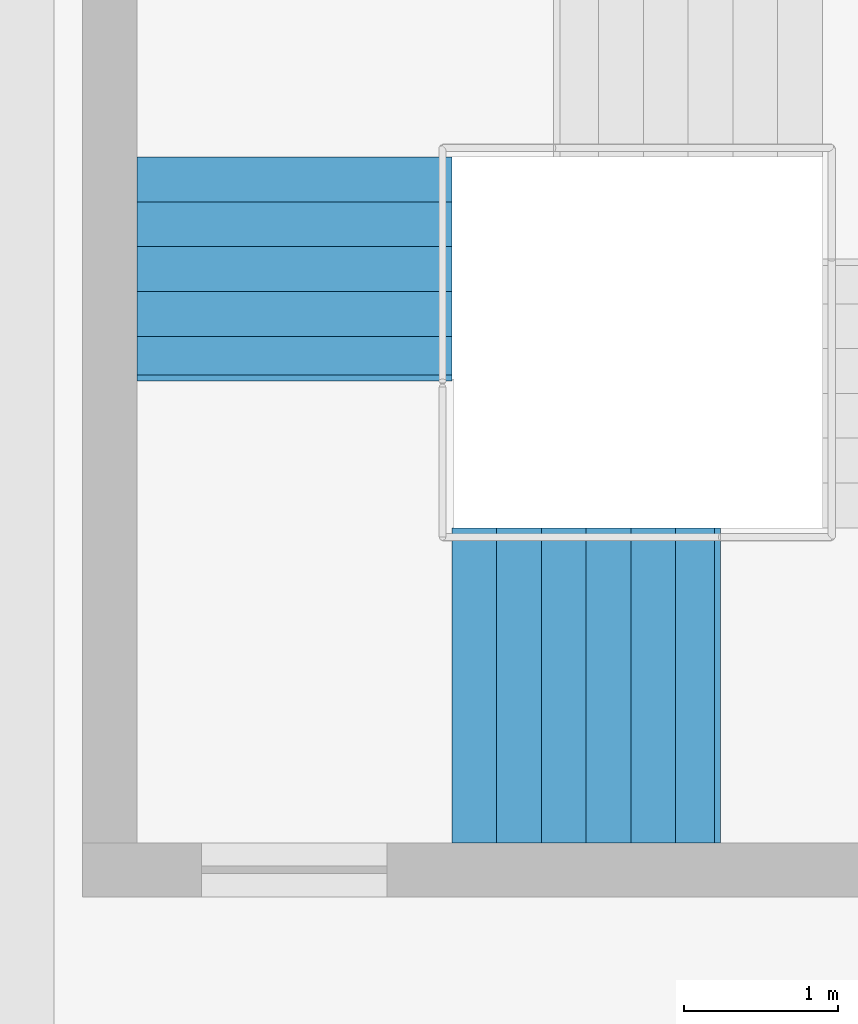
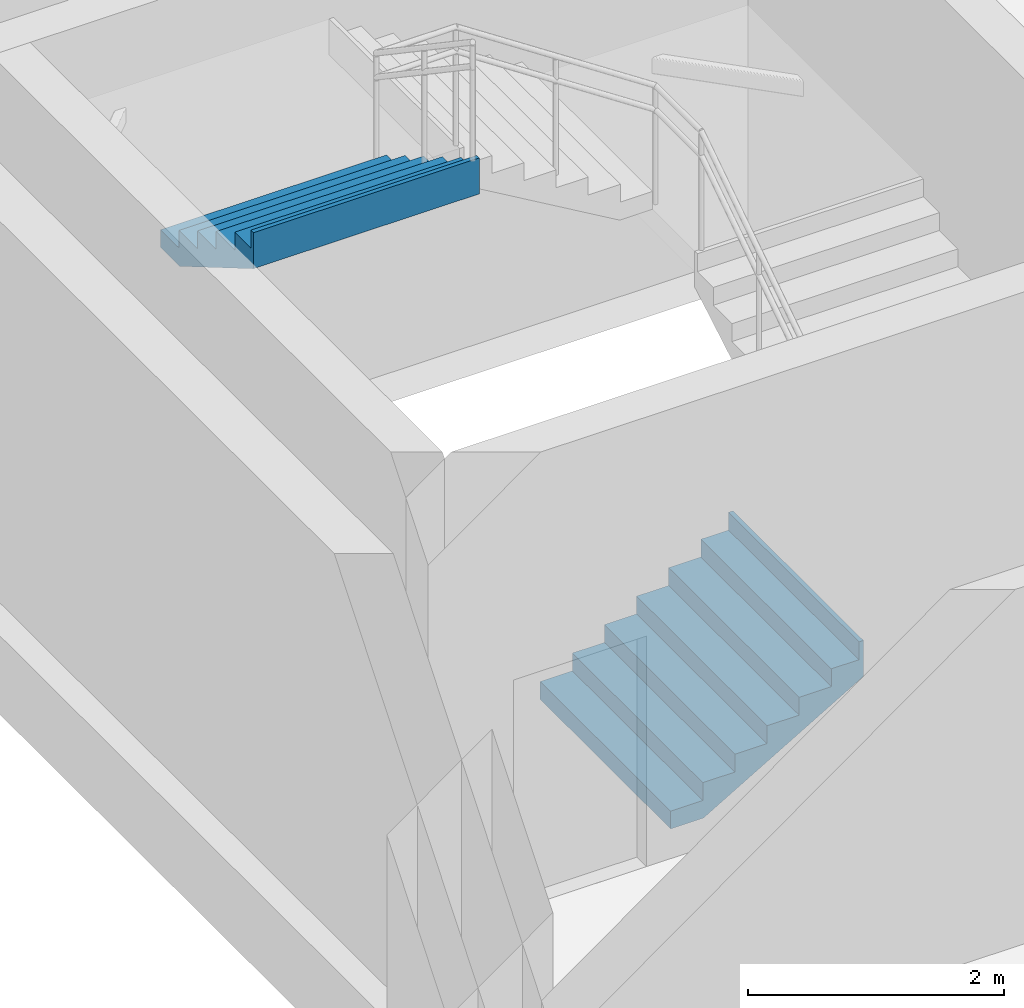
# One storey, part 16 of 32: 2 stair flights, 1 element without a shape of its own.
"""IFC4 building model written with IfcOpenShell, lengths in metres."""

from ifc_helpers import new_model, si_unit, direction, frame, origin, place, context, subcontext, project, spatial, triangles, material, type_object, element, aggregate, save


model = new_model("IFC4")

# Units and contexts
model_context = context("Model", 3, precision=1e-05, world=origin(), true_north=direction((0.0, 1.0)))
body_context = subcontext(model_context, "Body", "Model", "MODEL_VIEW")
ifc_project = project(units=[si_unit("LENGTHUNIT", "METRE"), si_unit("AREAUNIT", "SQUARE_METRE"), si_unit("VOLUMEUNIT", "CUBIC_METRE"), si_unit("PLANEANGLEUNIT", "RADIAN"), si_unit("MASSUNIT", "GRAM", prefix="KILO")], contexts=[model_context])

# Site, building, storey
site_placement = place(None, origin())
site = spatial("IfcSite", under=ifc_project, at=site_placement, CompositionType="ELEMENT")
building_placement = place(site_placement, origin())
building = spatial("IfcBuilding", under=site, at=building_placement, Name="Sillaruma Civic Art Gallery", CompositionType="ELEMENT")
storey_placement = place(building_placement, frame((0.0, 0.0, -4.590087890625)))
storey = spatial("IfcBuildingStorey", under=building, at=storey_placement, Name="B01", CompositionType="ELEMENT", Elevation=-4.590087890625)

# Stair, stair flights
ifc_material = material(Name="Concrete H35 (35 MPa)", Category="concrete")
stair_type = type_object("IfcStairType", Name="STR-4F-27", PredefinedType="USERDEFINED", material=ifc_material)
stair_placement = place(storey_placement, origin())
stair = element("IfcStair", 1, at=stair_placement, inside=storey, type_object=stair_type, Name="Protected Exit Stair ST-03 (West Bar South) (B01)", ObjectType="THREE_RETURN_STAIR", PredefinedType="USERDEFINED")
stair_flight_type_1 = type_object("IfcStairFlightType", Name="SFL-STR-6", PredefinedType="STRAIGHT", material=ifc_material)
stair_flight_1_placement = place(storey_placement, frame((63.780029296875, 35.85009765625, 3.570068359375), z_axis=(0.0, 0.0, 1.0), x_axis=(0.0, -1.0, 0.0)))
stair_flight_1 = element("IfcStairFlight", 2, at=stair_flight_1_placement, type_object=stair_flight_type_1, Name="ST-03 flight 4", NumberOfRisers=6, NumberOfTreads=5, PredefinedType="STRAIGHT", RiserHeight=0.17, TreadLength=0.29, context=body_context, shape_type="Tessellation", body=[
    triangles([(0.0, -1.02001953125, 0.0), (0.29, -1.02001953125, 0.0), (0.296365, -1.02001953125, 0.0), (0.58, -1.02001953125, 0.166269), (0.87, -1.02001953125, 0.336269), (1.16, -1.02001953125, 0.506269), (1.409951, -1.02001953125, 0.652792), (1.449951, -1.02001953125, 0.67624), (1.449951, -1.02001953125, 1.02), (1.409951, -1.02001953125, 1.02), (1.409951, -1.02001953125, 0.85), (1.16, -1.02001953125, 0.85), (1.16, -1.02001953125, 0.68), (0.87, -1.02001953125, 0.68), (0.87, -1.02001953125, 0.51), (0.58, -1.02001953125, 0.51), (0.58, -1.02001953125, 0.34), (0.296365, -1.02001953125, 0.34), (0.29, -1.02001953125, 0.34), (0.29, -1.02001953125, 0.17), (0.0, -1.02001953125, 0.17), (0.0, -0.05, 0.0), (0.29, -0.05, 0.0), (0.296365, -0.05, 0.0), (0.58, -0.05, 0.166269), (0.87, -0.05, 0.336269), (1.16, -0.05, 0.506269), (1.409951, -0.05, 0.652792), (1.449951, -0.05, 0.67624), (1.449951, -0.05, 1.02), (1.409951, -0.05, 1.02), (1.409951, -0.05, 0.85), (1.16, -0.05, 0.85), (1.16, -0.05, 0.68), (0.87, -0.05, 0.68), (0.87, -0.05, 0.51), (0.58, -0.05, 0.51), (0.58, -0.05, 0.34), (0.296365, -0.05, 0.34), (0.29, -0.05, 0.34), (0.29, -0.05, 0.17), (0.0, -0.05, 0.17), (0.0, -0.0375, 0.0), (0.29, -0.0375, 0.0), (0.296365, -0.0375, 0.0), (0.58, -0.0375, 0.166269), (0.87, -0.0375, 0.336269), (1.16, -0.0375, 0.506269), (1.409951, -0.0375, 0.652792), (1.449951, -0.0375, 0.67624), (1.449951, -0.0375, 1.02), (1.409951, -0.0375, 1.02), (1.409951, -0.0375, 0.85), (1.16, -0.0375, 0.85), (1.16, -0.0375, 0.68), (0.87, -0.0375, 0.68), (0.87, -0.0375, 0.51), (0.58, -0.0375, 0.51), (0.58, -0.0375, 0.34), (0.296365, -0.0375, 0.34), (0.29, -0.0375, 0.34), (0.29, -0.0375, 0.17), (0.0, -0.0375, 0.17), (0.0, -0.025, 0.0), (0.29, -0.025, 0.0), (0.296365, -0.025, 0.0), (0.58, -0.025, 0.166269), (0.87, -0.025, 0.336269), (1.16, -0.025, 0.506269), (1.409951, -0.025, 0.652792), (1.449951, -0.025, 0.67624), (1.449951, -0.025, 1.02), (1.409951, -0.025, 1.02), (1.409951, -0.025, 0.85), (1.16, -0.025, 0.85), (1.16, -0.025, 0.68), (0.87, -0.025, 0.68), (0.87, -0.025, 0.51), (0.58, -0.025, 0.51), (0.58, -0.025, 0.34), (0.296365, -0.025, 0.34), (0.29, -0.025, 0.34), (0.29, -0.025, 0.17), (0.0, -0.025, 0.17), (0.0, -0.0125, 0.0), (0.29, -0.0125, 0.0), (0.296365, -0.0125, 0.0), (0.58, -0.0125, 0.166269), (0.87, -0.0125, 0.336269), (1.16, -0.0125, 0.506269), (1.409951, -0.0125, 0.652792), (1.449951, -0.0125, 0.67624), (1.449951, -0.0125, 1.02), (1.409951, -0.0125, 1.02), (1.409951, -0.0125, 0.85), (1.16, -0.0125, 0.85), (1.16, -0.0125, 0.68), (0.87, -0.0125, 0.68), (0.87, -0.0125, 0.51), (0.58, -0.0125, 0.51), (0.58, -0.0125, 0.34), (0.296365, -0.0125, 0.34), (0.29, -0.0125, 0.34), (0.29, -0.0125, 0.17), (0.0, -0.0125, 0.17), (0.0, 0.0, 0.0), (0.29, 0.0, 0.0), (0.296365, 0.0, 0.0), (0.58, 0.0, 0.166269), (0.87, 0.0, 0.336269), (1.16, 0.0, 0.506269), (1.409951, 0.0, 0.652792), (1.449951, 0.0, 0.67624), (1.449951, 0.0, 1.02), (1.409951, 0.0, 1.02), (1.409951, 0.0, 0.85), (1.16, 0.0, 0.85), (1.16, 0.0, 0.68), (0.87, 0.0, 0.68), (0.87, 0.0, 0.51), (0.58, 0.0, 0.51), (0.58, 0.0, 0.34), (0.296365, 0.0, 0.34), (0.29, 0.0, 0.34), (0.29, 0.0, 0.17), (0.0, 0.0, 0.17), (0.0, 0.0125, 0.0), (0.29, 0.0125, 0.0), (0.296365, 0.0125, 0.0), (0.58, 0.0125, 0.166269), (0.87, 0.0125, 0.336269), (1.16, 0.0125, 0.506269), (1.409951, 0.0125, 0.652792), (1.449951, 0.0125, 0.67624), (1.449951, 0.0125, 1.02), (1.409951, 0.0125, 1.02), (1.409951, 0.0125, 0.85), (1.16, 0.0125, 0.85), (1.16, 0.0125, 0.68), (0.87, 0.0125, 0.68), (0.87, 0.0125, 0.51), (0.58, 0.0125, 0.51), (0.58, 0.0125, 0.34), (0.296365, 0.0125, 0.34), (0.29, 0.0125, 0.34), (0.29, 0.0125, 0.17), (0.0, 0.0125, 0.17), (0.0, 0.025, 0.0), (0.29, 0.025, 0.0), (0.296365, 0.025, 0.0), (0.58, 0.025, 0.166269), (0.87, 0.025, 0.336269), (1.16, 0.025, 0.506269), (1.409951, 0.025, 0.652792), (1.449951, 0.025, 0.67624), (1.449951, 0.025, 1.02), (1.409951, 0.025, 1.02), (1.409951, 0.025, 0.85), (1.16, 0.025, 0.85), (1.16, 0.025, 0.68), (0.87, 0.025, 0.68), (0.87, 0.025, 0.51), (0.58, 0.025, 0.51), (0.58, 0.025, 0.34), (0.296365, 0.025, 0.34), (0.29, 0.025, 0.34), (0.29, 0.025, 0.17), (0.0, 0.025, 0.17), (0.0, 0.0375, 0.0), (0.29, 0.0375, 0.0), (0.296365, 0.0375, 0.0), (0.58, 0.0375, 0.166269), (0.87, 0.0375, 0.336269), (1.16, 0.0375, 0.506269), (1.409951, 0.0375, 0.652792), (1.449951, 0.0375, 0.67624), (1.449951, 0.0375, 1.02), (1.409951, 0.0375, 1.02), (1.409951, 0.0375, 0.85), (1.16, 0.0375, 0.85), (1.16, 0.0375, 0.68), (0.87, 0.0375, 0.68), (0.87, 0.0375, 0.51), (0.58, 0.0375, 0.51), (0.58, 0.0375, 0.34), (0.296365, 0.0375, 0.34), (0.29, 0.0375, 0.34), (0.29, 0.0375, 0.17), (0.0, 0.0375, 0.17), (0.0, 0.05, 0.0), (0.29, 0.05, 0.0), (0.296365, 0.05, 0.0), (0.58, 0.05, 0.166269), (0.87, 0.05, 0.336269), (1.16, 0.05, 0.506269), (1.409951, 0.05, 0.652792), (1.449951, 0.05, 0.67624), (1.449951, 0.05, 1.02), (1.409951, 0.05, 1.02), (1.409951, 0.05, 0.85), (1.16, 0.05, 0.85), (1.16, 0.05, 0.68), (0.87, 0.05, 0.68), (0.87, 0.05, 0.51), (0.58, 0.05, 0.51), (0.58, 0.05, 0.34), (0.296365, 0.05, 0.34), (0.29, 0.05, 0.34), (0.29, 0.05, 0.17), (0.0, 0.05, 0.17), (0.0, 1.02001953125, 0.0), (0.29, 1.02001953125, 0.0), (0.296365, 1.02001953125, 0.0), (0.58, 1.02001953125, 0.166269), (0.87, 1.02001953125, 0.336269), (1.16, 1.02001953125, 0.506269), (1.409951, 1.02001953125, 0.652792), (1.449951, 1.02001953125, 0.67624), (1.449951, 1.02001953125, 1.02), (1.409951, 1.02001953125, 1.02), (1.409951, 1.02001953125, 0.85), (1.16, 1.02001953125, 0.85), (1.16, 1.02001953125, 0.68), (0.87, 1.02001953125, 0.68), (0.87, 1.02001953125, 0.51), (0.58, 1.02001953125, 0.51), (0.58, 1.02001953125, 0.34), (0.296365, 1.02001953125, 0.34), (0.29, 1.02001953125, 0.34), (0.29, 1.02001953125, 0.17), (0.0, 1.02001953125, 0.17)], [[1, 2, 20], [1, 20, 21], [2, 3, 18], [2, 18, 20], [20, 18, 19], [3, 4, 17], [3, 17, 18], [4, 5, 15], [4, 15, 17], [17, 15, 16], [5, 6, 13], [5, 13, 15], [15, 13, 14], [6, 7, 11], [6, 11, 13], [13, 11, 12], [7, 8, 9], [7, 9, 11], [11, 9, 10], [230, 212, 211], [231, 230, 211], [228, 213, 212], [230, 228, 212], [229, 228, 230], [227, 214, 213], [228, 227, 213], [225, 215, 214], [227, 225, 214], [226, 225, 227], [223, 216, 215], [225, 223, 215], [224, 223, 225], [221, 217, 216], [223, 221, 216], [222, 221, 223], [219, 218, 217], [221, 219, 217], [220, 219, 221], [2, 1, 22], [2, 22, 23], [3, 2, 23], [3, 23, 24], [4, 3, 24], [4, 24, 25], [5, 4, 25], [5, 25, 26], [6, 5, 26], [6, 26, 27], [7, 6, 27], [7, 27, 28], [8, 7, 28], [8, 28, 29], [9, 8, 29], [9, 29, 30], [10, 9, 30], [10, 30, 31], [11, 10, 31], [11, 31, 32], [12, 11, 32], [12, 32, 33], [13, 12, 33], [13, 33, 34], [14, 13, 34], [14, 34, 35], [15, 14, 35], [15, 35, 36], [16, 15, 36], [16, 36, 37], [17, 16, 37], [17, 37, 38], [18, 17, 38], [18, 38, 39], [19, 18, 39], [19, 39, 40], [20, 19, 40], [20, 40, 41], [21, 20, 41], [21, 41, 42], [1, 21, 42], [1, 42, 22], [23, 22, 43], [23, 43, 44], [24, 23, 44], [24, 44, 45], [25, 24, 45], [25, 45, 46], [26, 25, 46], [26, 46, 47], [27, 26, 47], [27, 47, 48], [28, 27, 48], [28, 48, 49], [29, 28, 49], [29, 49, 50], [30, 29, 50], [30, 50, 51], [31, 30, 51], [31, 51, 52], [32, 31, 52], [32, 52, 53], [33, 32, 53], [33, 53, 54], [34, 33, 54], [34, 54, 55], [35, 34, 55], [35, 55, 56], [36, 35, 56], [36, 56, 57], [37, 36, 57], [37, 57, 58], [38, 37, 58], [38, 58, 59], [39, 38, 59], [39, 59, 60], [40, 39, 60], [40, 60, 61], [41, 40, 61], [41, 61, 62], [42, 41, 62], [42, 62, 63], [22, 42, 63], [22, 63, 43], [44, 43, 64], [44, 64, 65], [45, 44, 65], [45, 65, 66], [46, 45, 66], [46, 66, 67], [47, 46, 67], [47, 67, 68], [48, 47, 68], [48, 68, 69], [49, 48, 69], [49, 69, 70], [50, 49, 70], [50, 70, 71], [51, 50, 71], [51, 71, 72], [52, 51, 72], [52, 72, 73], [53, 52, 73], [53, 73, 74], [54, 53, 74], [54, 74, 75], [55, 54, 75], [55, 75, 76], [56, 55, 76], [56, 76, 77], [57, 56, 77], [57, 77, 78], [58, 57, 78], [58, 78, 79], [59, 58, 79], [59, 79, 80], [60, 59, 80], [60, 80, 81], [61, 60, 81], [61, 81, 82], [62, 61, 82], [62, 82, 83], [63, 62, 83], [63, 83, 84], [43, 63, 84], [43, 84, 64], [65, 64, 85], [65, 85, 86], [66, 65, 86], [66, 86, 87], [67, 66, 87], [67, 87, 88], [68, 67, 88], [68, 88, 89], [69, 68, 89], [69, 89, 90], [70, 69, 90], [70, 90, 91], [71, 70, 91], [71, 91, 92], [72, 71, 92], [72, 92, 93], [73, 72, 93], [73, 93, 94], [74, 73, 94], [74, 94, 95], [75, 74, 95], [75, 95, 96], [76, 75, 96], [76, 96, 97], [77, 76, 97], [77, 97, 98], [78, 77, 98], [78, 98, 99], [79, 78, 99], [79, 99, 100], [80, 79, 100], [80, 100, 101], [81, 80, 101], [81, 101, 102], [82, 81, 102], [82, 102, 103], [83, 82, 103], [83, 103, 104], [84, 83, 104], [84, 104, 105], [64, 84, 105], [64, 105, 85], [86, 85, 106], [86, 106, 107], [87, 86, 107], [87, 107, 108], [88, 87, 108], [88, 108, 109], [89, 88, 109], [89, 109, 110], [90, 89, 110], [90, 110, 111], [91, 90, 111], [91, 111, 112], [92, 91, 112], [92, 112, 113], [93, 92, 113], [93, 113, 114], [94, 93, 114], [94, 114, 115], [95, 94, 115], [95, 115, 116], [96, 95, 116], [96, 116, 117], [97, 96, 117], [97, 117, 118], [98, 97, 118], [98, 118, 119], [99, 98, 119], [99, 119, 120], [100, 99, 120], [100, 120, 121], [101, 100, 121], [101, 121, 122], [102, 101, 122], [102, 122, 123], [103, 102, 123], [103, 123, 124], [104, 103, 124], [104, 124, 125], [105, 104, 125], [105, 125, 126], [85, 105, 126], [85, 126, 106], [107, 106, 127], [107, 127, 128], [108, 107, 128], [108, 128, 129], [109, 108, 129], [109, 129, 130], [110, 109, 130], [110, 130, 131], [111, 110, 131], [111, 131, 132], [112, 111, 132], [112, 132, 133], [113, 112, 133], [113, 133, 134], [114, 113, 134], [114, 134, 135], [115, 114, 135], [115, 135, 136], [116, 115, 136], [116, 136, 137], [117, 116, 137], [117, 137, 138], [118, 117, 138], [118, 138, 139], [119, 118, 139], [119, 139, 140], [120, 119, 140], [120, 140, 141], [121, 120, 141], [121, 141, 142], [122, 121, 142], [122, 142, 143], [123, 122, 143], [123, 143, 144], [124, 123, 144], [124, 144, 145], [125, 124, 145], [125, 145, 146], [126, 125, 146], [126, 146, 147], [106, 126, 147], [106, 147, 127], [128, 127, 148], [128, 148, 149], [129, 128, 149], [129, 149, 150], [130, 129, 150], [130, 150, 151], [131, 130, 151], [131, 151, 152], [132, 131, 152], [132, 152, 153], [133, 132, 153], [133, 153, 154], [134, 133, 154], [134, 154, 155], [135, 134, 155], [135, 155, 156], [136, 135, 156], [136, 156, 157], [137, 136, 157], [137, 157, 158], [138, 137, 158], [138, 158, 159], [139, 138, 159], [139, 159, 160], [140, 139, 160], [140, 160, 161], [141, 140, 161], [141, 161, 162], [142, 141, 162], [142, 162, 163], [143, 142, 163], [143, 163, 164], [144, 143, 164], [144, 164, 165], [145, 144, 165], [145, 165, 166], [146, 145, 166], [146, 166, 167], [147, 146, 167], [147, 167, 168], [127, 147, 168], [127, 168, 148], [149, 148, 169], [149, 169, 170], [150, 149, 170], [150, 170, 171], [151, 150, 171], [151, 171, 172], [152, 151, 172], [152, 172, 173], [153, 152, 173], [153, 173, 174], [154, 153, 174], [154, 174, 175], [155, 154, 175], [155, 175, 176], [156, 155, 176], [156, 176, 177], [157, 156, 177], [157, 177, 178], [158, 157, 178], [158, 178, 179], [159, 158, 179], [159, 179, 180], [160, 159, 180], [160, 180, 181], [161, 160, 181], [161, 181, 182], [162, 161, 182], [162, 182, 183], [163, 162, 183], [163, 183, 184], [164, 163, 184], [164, 184, 185], [165, 164, 185], [165, 185, 186], [166, 165, 186], [166, 186, 187], [167, 166, 187], [167, 187, 188], [168, 167, 188], [168, 188, 189], [148, 168, 189], [148, 189, 169], [170, 169, 190], [170, 190, 191], [171, 170, 191], [171, 191, 192], [172, 171, 192], [172, 192, 193], [173, 172, 193], [173, 193, 194], [174, 173, 194], [174, 194, 195], [175, 174, 195], [175, 195, 196], [176, 175, 196], [176, 196, 197], [177, 176, 197], [177, 197, 198], [178, 177, 198], [178, 198, 199], [179, 178, 199], [179, 199, 200], [180, 179, 200], [180, 200, 201], [181, 180, 201], [181, 201, 202], [182, 181, 202], [182, 202, 203], [183, 182, 203], [183, 203, 204], [184, 183, 204], [184, 204, 205], [185, 184, 205], [185, 205, 206], [186, 185, 206], [186, 206, 207], [187, 186, 207], [187, 207, 208], [188, 187, 208], [188, 208, 209], [189, 188, 209], [189, 209, 210], [169, 189, 210], [169, 210, 190], [191, 190, 211], [191, 211, 212], [192, 191, 212], [192, 212, 213], [193, 192, 213], [193, 213, 214], [194, 193, 214], [194, 214, 215], [195, 194, 215], [195, 215, 216], [196, 195, 216], [196, 216, 217], [197, 196, 217], [197, 217, 218], [198, 197, 218], [198, 218, 219], [199, 198, 219], [199, 219, 220], [200, 199, 220], [200, 220, 221], [201, 200, 221], [201, 221, 222], [202, 201, 222], [202, 222, 223], [203, 202, 223], [203, 223, 224], [204, 203, 224], [204, 224, 225], [205, 204, 225], [205, 225, 226], [206, 205, 226], [206, 226, 227], [207, 206, 227], [207, 227, 228], [208, 207, 228], [208, 228, 229], [209, 208, 229], [209, 229, 230], [210, 209, 230], [210, 230, 231], [190, 210, 231], [190, 231, 211]], closed=True),
])
stair_flight_type_2 = type_object("IfcStairFlightType", Name="SFL-STR-7", PredefinedType="STRAIGHT", material=ifc_material)
stair_flight_2_placement = place(storey_placement, frame((64.800048828125, 32.429931640625, 0.0), z_axis=(0.0, 0.0, 1.0), x_axis=(1.0, 0.0, 0.0)))
stair_flight_2 = element("IfcStairFlight", 3, at=stair_flight_2_placement, type_object=stair_flight_type_2, Name="ST-03 flight 1", NumberOfRisers=7, NumberOfTreads=6, PredefinedType="STRAIGHT", RiserHeight=0.17, TreadLength=0.29, context=body_context, shape_type="Tessellation", body=[
    triangles([(0.0, -1.02001953125, 0.0), (0.29, -1.02001953125, 0.0), (0.296404, -1.02001953125, 0.0), (0.58, -1.02001953125, 0.166246), (0.87, -1.02001953125, 0.336246), (1.16, -1.02001953125, 0.506246), (1.45, -1.02001953125, 0.676246), (1.69999, -1.02001953125, 0.822792), (1.73999, -1.02001953125, 0.84624), (1.73999, -1.02001953125, 1.19), (1.69999, -1.02001953125, 1.19), (1.69999, -1.02001953125, 1.02), (1.45, -1.02001953125, 1.02), (1.45, -1.02001953125, 0.85), (1.16, -1.02001953125, 0.85), (1.16, -1.02001953125, 0.68), (0.87, -1.02001953125, 0.68), (0.87, -1.02001953125, 0.51), (0.58, -1.02001953125, 0.51), (0.58, -1.02001953125, 0.34), (0.296404, -1.02001953125, 0.34), (0.29, -1.02001953125, 0.34), (0.29, -1.02001953125, 0.17), (0.0, -1.02001953125, 0.17), (0.0, -0.05, 0.0), (0.29, -0.05, 0.0), (0.296404, -0.05, 0.0), (0.58, -0.05, 0.166246), (0.87, -0.05, 0.336246), (1.16, -0.05, 0.506246), (1.45, -0.05, 0.676246), (1.69999, -0.05, 0.822792), (1.73999, -0.05, 0.84624), (1.73999, -0.05, 1.19), (1.69999, -0.05, 1.19), (1.69999, -0.05, 1.02), (1.45, -0.05, 1.02), (1.45, -0.05, 0.85), (1.16, -0.05, 0.85), (1.16, -0.05, 0.68), (0.87, -0.05, 0.68), (0.87, -0.05, 0.51), (0.58, -0.05, 0.51), (0.58, -0.05, 0.34), (0.296404, -0.05, 0.34), (0.29, -0.05, 0.34), (0.29, -0.05, 0.17), (0.0, -0.05, 0.17), (0.0, -0.0375, 0.0), (0.29, -0.0375, 0.0), (0.296404, -0.0375, 0.0), (0.58, -0.0375, 0.166246), (0.87, -0.0375, 0.336246), (1.16, -0.0375, 0.506246), (1.45, -0.0375, 0.676246), (1.69999, -0.0375, 0.822792), (1.73999, -0.0375, 0.84624), (1.73999, -0.0375, 1.19), (1.69999, -0.0375, 1.19), (1.69999, -0.0375, 1.02), (1.45, -0.0375, 1.02), (1.45, -0.0375, 0.85), (1.16, -0.0375, 0.85), (1.16, -0.0375, 0.68), (0.87, -0.0375, 0.68), (0.87, -0.0375, 0.51), (0.58, -0.0375, 0.51), (0.58, -0.0375, 0.34), (0.296404, -0.0375, 0.34), (0.29, -0.0375, 0.34), (0.29, -0.0375, 0.17), (0.0, -0.0375, 0.17), (0.0, -0.025, 0.0), (0.29, -0.025, 0.0), (0.296404, -0.025, 0.0), (0.58, -0.025, 0.166246), (0.87, -0.025, 0.336246), (1.16, -0.025, 0.506246), (1.45, -0.025, 0.676246), (1.69999, -0.025, 0.822792), (1.73999, -0.025, 0.84624), (1.73999, -0.025, 1.19), (1.69999, -0.025, 1.19), (1.69999, -0.025, 1.02), (1.45, -0.025, 1.02), (1.45, -0.025, 0.85), (1.16, -0.025, 0.85), (1.16, -0.025, 0.68), (0.87, -0.025, 0.68), (0.87, -0.025, 0.51), (0.58, -0.025, 0.51), (0.58, -0.025, 0.34), (0.296404, -0.025, 0.34), (0.29, -0.025, 0.34), (0.29, -0.025, 0.17), (0.0, -0.025, 0.17), (0.0, -0.0125, 0.0), (0.29, -0.0125, 0.0), (0.296404, -0.0125, 0.0), (0.58, -0.0125, 0.166246), (0.87, -0.0125, 0.336246), (1.16, -0.0125, 0.506246), (1.45, -0.0125, 0.676246), (1.69999, -0.0125, 0.822792), (1.73999, -0.0125, 0.84624), (1.73999, -0.0125, 1.19), (1.69999, -0.0125, 1.19), (1.69999, -0.0125, 1.02), (1.45, -0.0125, 1.02), (1.45, -0.0125, 0.85), (1.16, -0.0125, 0.85), (1.16, -0.0125, 0.68), (0.87, -0.0125, 0.68), (0.87, -0.0125, 0.51), (0.58, -0.0125, 0.51), (0.58, -0.0125, 0.34), (0.296404, -0.0125, 0.34), (0.29, -0.0125, 0.34), (0.29, -0.0125, 0.17), (0.0, -0.0125, 0.17), (0.0, 0.0, 0.0), (0.29, 0.0, 0.0), (0.296404, 0.0, 0.0), (0.58, 0.0, 0.166246), (0.87, 0.0, 0.336246), (1.16, 0.0, 0.506246), (1.45, 0.0, 0.676246), (1.69999, 0.0, 0.822792), (1.73999, 0.0, 0.84624), (1.73999, 0.0, 1.19), (1.69999, 0.0, 1.19), (1.69999, 0.0, 1.02), (1.45, 0.0, 1.02), (1.45, 0.0, 0.85), (1.16, 0.0, 0.85), (1.16, 0.0, 0.68), (0.87, 0.0, 0.68), (0.87, 0.0, 0.51), (0.58, 0.0, 0.51), (0.58, 0.0, 0.34), (0.296404, 0.0, 0.34), (0.29, 0.0, 0.34), (0.29, 0.0, 0.17), (0.0, 0.0, 0.17), (0.0, 0.0125, 0.0), (0.29, 0.0125, 0.0), (0.296404, 0.0125, 0.0), (0.58, 0.0125, 0.166246), (0.87, 0.0125, 0.336246), (1.16, 0.0125, 0.506246), (1.45, 0.0125, 0.676246), (1.69999, 0.0125, 0.822792), (1.73999, 0.0125, 0.84624), (1.73999, 0.0125, 1.19), (1.69999, 0.0125, 1.19), (1.69999, 0.0125, 1.02), (1.45, 0.0125, 1.02), (1.45, 0.0125, 0.85), (1.16, 0.0125, 0.85), (1.16, 0.0125, 0.68), (0.87, 0.0125, 0.68), (0.87, 0.0125, 0.51), (0.58, 0.0125, 0.51), (0.58, 0.0125, 0.34), (0.296404, 0.0125, 0.34), (0.29, 0.0125, 0.34), (0.29, 0.0125, 0.17), (0.0, 0.0125, 0.17), (0.0, 0.025, 0.0), (0.29, 0.025, 0.0), (0.296404, 0.025, 0.0), (0.58, 0.025, 0.166246), (0.87, 0.025, 0.336246), (1.16, 0.025, 0.506246), (1.45, 0.025, 0.676246), (1.69999, 0.025, 0.822792), (1.73999, 0.025, 0.84624), (1.73999, 0.025, 1.19), (1.69999, 0.025, 1.19), (1.69999, 0.025, 1.02), (1.45, 0.025, 1.02), (1.45, 0.025, 0.85), (1.16, 0.025, 0.85), (1.16, 0.025, 0.68), (0.87, 0.025, 0.68), (0.87, 0.025, 0.51), (0.58, 0.025, 0.51), (0.58, 0.025, 0.34), (0.296404, 0.025, 0.34), (0.29, 0.025, 0.34), (0.29, 0.025, 0.17), (0.0, 0.025, 0.17), (0.0, 0.0375, 0.0), (0.29, 0.0375, 0.0), (0.296404, 0.0375, 0.0), (0.58, 0.0375, 0.166246), (0.87, 0.0375, 0.336246), (1.16, 0.0375, 0.506246), (1.45, 0.0375, 0.676246), (1.69999, 0.0375, 0.822792), (1.73999, 0.0375, 0.84624), (1.73999, 0.0375, 1.19), (1.69999, 0.0375, 1.19), (1.69999, 0.0375, 1.02), (1.45, 0.0375, 1.02), (1.45, 0.0375, 0.85), (1.16, 0.0375, 0.85), (1.16, 0.0375, 0.68), (0.87, 0.0375, 0.68), (0.87, 0.0375, 0.51), (0.58, 0.0375, 0.51), (0.58, 0.0375, 0.34), (0.296404, 0.0375, 0.34), (0.29, 0.0375, 0.34), (0.29, 0.0375, 0.17), (0.0, 0.0375, 0.17), (0.0, 0.05, 0.0), (0.29, 0.05, 0.0), (0.296404, 0.05, 0.0), (0.58, 0.05, 0.166246), (0.87, 0.05, 0.336246), (1.16, 0.05, 0.506246), (1.45, 0.05, 0.676246), (1.69999, 0.05, 0.822792), (1.73999, 0.05, 0.84624), (1.73999, 0.05, 1.19), (1.69999, 0.05, 1.19), (1.69999, 0.05, 1.02), (1.45, 0.05, 1.02), (1.45, 0.05, 0.85), (1.16, 0.05, 0.85), (1.16, 0.05, 0.68), (0.87, 0.05, 0.68), (0.87, 0.05, 0.51), (0.58, 0.05, 0.51), (0.58, 0.05, 0.34), (0.296404, 0.05, 0.34), (0.29, 0.05, 0.34), (0.29, 0.05, 0.17), (0.0, 0.05, 0.17), (0.0, 1.02001953125, 0.0), (0.29, 1.02001953125, 0.0), (0.296404, 1.02001953125, 0.0), (0.58, 1.02001953125, 0.166246), (0.87, 1.02001953125, 0.336246), (1.16, 1.02001953125, 0.506246), (1.45, 1.02001953125, 0.676246), (1.69999, 1.02001953125, 0.822792), (1.73999, 1.02001953125, 0.84624), (1.73999, 1.02001953125, 1.19), (1.69999, 1.02001953125, 1.19), (1.69999, 1.02001953125, 1.02), (1.45, 1.02001953125, 1.02), (1.45, 1.02001953125, 0.85), (1.16, 1.02001953125, 0.85), (1.16, 1.02001953125, 0.68), (0.87, 1.02001953125, 0.68), (0.87, 1.02001953125, 0.51), (0.58, 1.02001953125, 0.51), (0.58, 1.02001953125, 0.34), (0.296404, 1.02001953125, 0.34), (0.29, 1.02001953125, 0.34), (0.29, 1.02001953125, 0.17), (0.0, 1.02001953125, 0.17)], [[1, 2, 23], [1, 23, 24], [2, 3, 21], [2, 21, 23], [23, 21, 22], [3, 4, 20], [3, 20, 21], [4, 5, 18], [4, 18, 20], [20, 18, 19], [5, 6, 16], [5, 16, 18], [18, 16, 17], [6, 7, 14], [6, 14, 16], [16, 14, 15], [7, 8, 12], [7, 12, 14], [14, 12, 13], [8, 9, 10], [8, 10, 12], [12, 10, 11], [263, 242, 241], [264, 263, 241], [261, 243, 242], [263, 261, 242], [262, 261, 263], [260, 244, 243], [261, 260, 243], [258, 245, 244], [260, 258, 244], [259, 258, 260], [256, 246, 245], [258, 256, 245], [257, 256, 258], [254, 247, 246], [256, 254, 246], [255, 254, 256], [252, 248, 247], [254, 252, 247], [253, 252, 254], [250, 249, 248], [252, 250, 248], [251, 250, 252], [2, 1, 25], [2, 25, 26], [3, 2, 26], [3, 26, 27], [4, 3, 27], [4, 27, 28], [5, 4, 28], [5, 28, 29], [6, 5, 29], [6, 29, 30], [7, 6, 30], [7, 30, 31], [8, 7, 31], [8, 31, 32], [9, 8, 32], [9, 32, 33], [10, 9, 33], [10, 33, 34], [11, 10, 34], [11, 34, 35], [12, 11, 35], [12, 35, 36], [13, 12, 36], [13, 36, 37], [14, 13, 37], [14, 37, 38], [15, 14, 38], [15, 38, 39], [16, 15, 39], [16, 39, 40], [17, 16, 40], [17, 40, 41], [18, 17, 41], [18, 41, 42], [19, 18, 42], [19, 42, 43], [20, 19, 43], [20, 43, 44], [21, 20, 44], [21, 44, 45], [22, 21, 45], [22, 45, 46], [23, 22, 46], [23, 46, 47], [24, 23, 47], [24, 47, 48], [1, 24, 48], [1, 48, 25], [26, 25, 49], [26, 49, 50], [27, 26, 50], [27, 50, 51], [28, 27, 51], [28, 51, 52], [29, 28, 52], [29, 52, 53], [30, 29, 53], [30, 53, 54], [31, 30, 54], [31, 54, 55], [32, 31, 55], [32, 55, 56], [33, 32, 56], [33, 56, 57], [34, 33, 57], [34, 57, 58], [35, 34, 58], [35, 58, 59], [36, 35, 59], [36, 59, 60], [37, 36, 60], [37, 60, 61], [38, 37, 61], [38, 61, 62], [39, 38, 62], [39, 62, 63], [40, 39, 63], [40, 63, 64], [41, 40, 64], [41, 64, 65], [42, 41, 65], [42, 65, 66], [43, 42, 66], [43, 66, 67], [44, 43, 67], [44, 67, 68], [45, 44, 68], [45, 68, 69], [46, 45, 69], [46, 69, 70], [47, 46, 70], [47, 70, 71], [48, 47, 71], [48, 71, 72], [25, 48, 72], [25, 72, 49], [50, 49, 73], [50, 73, 74], [51, 50, 74], [51, 74, 75], [52, 51, 75], [52, 75, 76], [53, 52, 76], [53, 76, 77], [54, 53, 77], [54, 77, 78], [55, 54, 78], [55, 78, 79], [56, 55, 79], [56, 79, 80], [57, 56, 80], [57, 80, 81], [58, 57, 81], [58, 81, 82], [59, 58, 82], [59, 82, 83], [60, 59, 83], [60, 83, 84], [61, 60, 84], [61, 84, 85], [62, 61, 85], [62, 85, 86], [63, 62, 86], [63, 86, 87], [64, 63, 87], [64, 87, 88], [65, 64, 88], [65, 88, 89], [66, 65, 89], [66, 89, 90], [67, 66, 90], [67, 90, 91], [68, 67, 91], [68, 91, 92], [69, 68, 92], [69, 92, 93], [70, 69, 93], [70, 93, 94], [71, 70, 94], [71, 94, 95], [72, 71, 95], [72, 95, 96], [49, 72, 96], [49, 96, 73], [74, 73, 97], [74, 97, 98], [75, 74, 98], [75, 98, 99], [76, 75, 99], [76, 99, 100], [77, 76, 100], [77, 100, 101], [78, 77, 101], [78, 101, 102], [79, 78, 102], [79, 102, 103], [80, 79, 103], [80, 103, 104], [81, 80, 104], [81, 104, 105], [82, 81, 105], [82, 105, 106], [83, 82, 106], [83, 106, 107], [84, 83, 107], [84, 107, 108], [85, 84, 108], [85, 108, 109], [86, 85, 109], [86, 109, 110], [87, 86, 110], [87, 110, 111], [88, 87, 111], [88, 111, 112], [89, 88, 112], [89, 112, 113], [90, 89, 113], [90, 113, 114], [91, 90, 114], [91, 114, 115], [92, 91, 115], [92, 115, 116], [93, 92, 116], [93, 116, 117], [94, 93, 117], [94, 117, 118], [95, 94, 118], [95, 118, 119], [96, 95, 119], [96, 119, 120], [73, 96, 120], [73, 120, 97], [98, 97, 121], [98, 121, 122], [99, 98, 122], [99, 122, 123], [100, 99, 123], [100, 123, 124], [101, 100, 124], [101, 124, 125], [102, 101, 125], [102, 125, 126], [103, 102, 126], [103, 126, 127], [104, 103, 127], [104, 127, 128], [105, 104, 128], [105, 128, 129], [106, 105, 129], [106, 129, 130], [107, 106, 130], [107, 130, 131], [108, 107, 131], [108, 131, 132], [109, 108, 132], [109, 132, 133], [110, 109, 133], [110, 133, 134], [111, 110, 134], [111, 134, 135], [112, 111, 135], [112, 135, 136], [113, 112, 136], [113, 136, 137], [114, 113, 137], [114, 137, 138], [115, 114, 138], [115, 138, 139], [116, 115, 139], [116, 139, 140], [117, 116, 140], [117, 140, 141], [118, 117, 141], [118, 141, 142], [119, 118, 142], [119, 142, 143], [120, 119, 143], [120, 143, 144], [97, 120, 144], [97, 144, 121], [122, 121, 145], [122, 145, 146], [123, 122, 146], [123, 146, 147], [124, 123, 147], [124, 147, 148], [125, 124, 148], [125, 148, 149], [126, 125, 149], [126, 149, 150], [127, 126, 150], [127, 150, 151], [128, 127, 151], [128, 151, 152], [129, 128, 152], [129, 152, 153], [130, 129, 153], [130, 153, 154], [131, 130, 154], [131, 154, 155], [132, 131, 155], [132, 155, 156], [133, 132, 156], [133, 156, 157], [134, 133, 157], [134, 157, 158], [135, 134, 158], [135, 158, 159], [136, 135, 159], [136, 159, 160], [137, 136, 160], [137, 160, 161], [138, 137, 161], [138, 161, 162], [139, 138, 162], [139, 162, 163], [140, 139, 163], [140, 163, 164], [141, 140, 164], [141, 164, 165], [142, 141, 165], [142, 165, 166], [143, 142, 166], [143, 166, 167], [144, 143, 167], [144, 167, 168], [121, 144, 168], [121, 168, 145], [146, 145, 169], [146, 169, 170], [147, 146, 170], [147, 170, 171], [148, 147, 171], [148, 171, 172], [149, 148, 172], [149, 172, 173], [150, 149, 173], [150, 173, 174], [151, 150, 174], [151, 174, 175], [152, 151, 175], [152, 175, 176], [153, 152, 176], [153, 176, 177], [154, 153, 177], [154, 177, 178], [155, 154, 178], [155, 178, 179], [156, 155, 179], [156, 179, 180], [157, 156, 180], [157, 180, 181], [158, 157, 181], [158, 181, 182], [159, 158, 182], [159, 182, 183], [160, 159, 183], [160, 183, 184], [161, 160, 184], [161, 184, 185], [162, 161, 185], [162, 185, 186], [163, 162, 186], [163, 186, 187], [164, 163, 187], [164, 187, 188], [165, 164, 188], [165, 188, 189], [166, 165, 189], [166, 189, 190], [167, 166, 190], [167, 190, 191], [168, 167, 191], [168, 191, 192], [145, 168, 192], [145, 192, 169], [170, 169, 193], [170, 193, 194], [171, 170, 194], [171, 194, 195], [172, 171, 195], [172, 195, 196], [173, 172, 196], [173, 196, 197], [174, 173, 197], [174, 197, 198], [175, 174, 198], [175, 198, 199], [176, 175, 199], [176, 199, 200], [177, 176, 200], [177, 200, 201], [178, 177, 201], [178, 201, 202], [179, 178, 202], [179, 202, 203], [180, 179, 203], [180, 203, 204], [181, 180, 204], [181, 204, 205], [182, 181, 205], [182, 205, 206], [183, 182, 206], [183, 206, 207], [184, 183, 207], [184, 207, 208], [185, 184, 208], [185, 208, 209], [186, 185, 209], [186, 209, 210], [187, 186, 210], [187, 210, 211], [188, 187, 211], [188, 211, 212], [189, 188, 212], [189, 212, 213], [190, 189, 213], [190, 213, 214], [191, 190, 214], [191, 214, 215], [192, 191, 215], [192, 215, 216], [169, 192, 216], [169, 216, 193], [194, 193, 217], [194, 217, 218], [195, 194, 218], [195, 218, 219], [196, 195, 219], [196, 219, 220], [197, 196, 220], [197, 220, 221], [198, 197, 221], [198, 221, 222], [199, 198, 222], [199, 222, 223], [200, 199, 223], [200, 223, 224], [201, 200, 224], [201, 224, 225], [202, 201, 225], [202, 225, 226], [203, 202, 226], [203, 226, 227], [204, 203, 227], [204, 227, 228], [205, 204, 228], [205, 228, 229], [206, 205, 229], [206, 229, 230], [207, 206, 230], [207, 230, 231], [208, 207, 231], [208, 231, 232], [209, 208, 232], [209, 232, 233], [210, 209, 233], [210, 233, 234], [211, 210, 234], [211, 234, 235], [212, 211, 235], [212, 235, 236], [213, 212, 236], [213, 236, 237], [214, 213, 237], [214, 237, 238], [215, 214, 238], [215, 238, 239], [216, 215, 239], [216, 239, 240], [193, 216, 240], [193, 240, 217], [218, 217, 241], [218, 241, 242], [219, 218, 242], [219, 242, 243], [220, 219, 243], [220, 243, 244], [221, 220, 244], [221, 244, 245], [222, 221, 245], [222, 245, 246], [223, 222, 246], [223, 246, 247], [224, 223, 247], [224, 247, 248], [225, 224, 248], [225, 248, 249], [226, 225, 249], [226, 249, 250], [227, 226, 250], [227, 250, 251], [228, 227, 251], [228, 251, 252], [229, 228, 252], [229, 252, 253], [230, 229, 253], [230, 253, 254], [231, 230, 254], [231, 254, 255], [232, 231, 255], [232, 255, 256], [233, 232, 256], [233, 256, 257], [234, 233, 257], [234, 257, 258], [235, 234, 258], [235, 258, 259], [236, 235, 259], [236, 259, 260], [237, 236, 260], [237, 260, 261], [238, 237, 261], [238, 261, 262], [239, 238, 262], [239, 262, 263], [240, 239, 263], [240, 263, 264], [217, 240, 264], [217, 264, 241]], closed=True),
])
aggregate(stair, [stair_flight_2, stair_flight_1])

save(model, "model.ifc")
